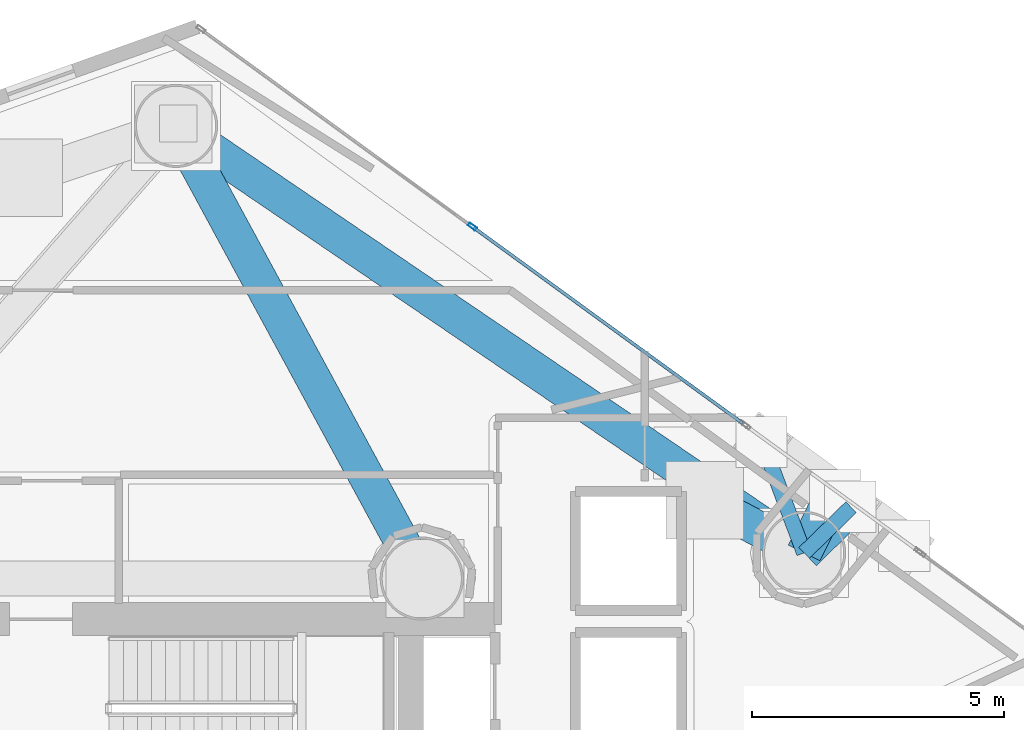
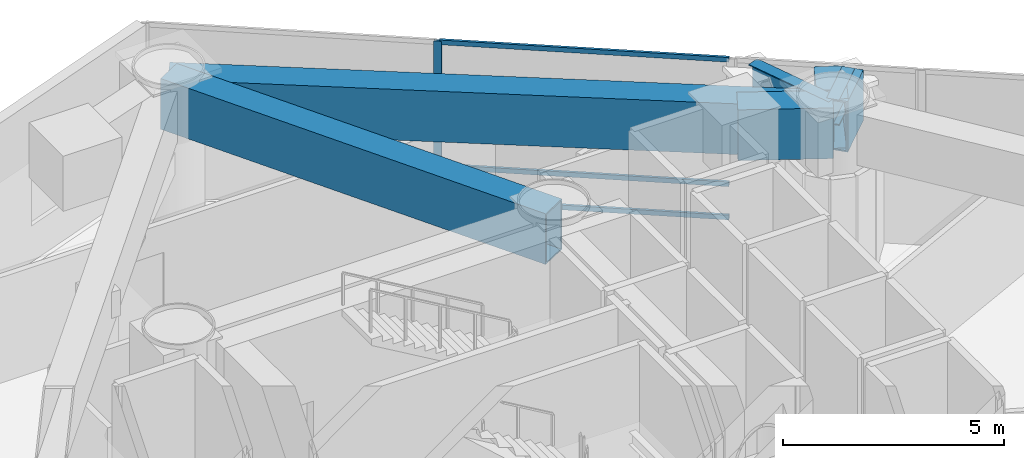
# One storey, part 10 of 22: 7 beams, 4 members, 1 element without a shape of its own.
"""IFC4 building model written with IfcOpenShell, lengths in metres."""

import ifcopenshell
import ifcopenshell.guid

model = None  # the IFC model being written
_history = None  # IfcOwnerHistory: only IFC2X3 demands one
_inside = {}  # id of a spatial element -> (the spatial element, [elements in it])
_under = {}  # id of a project, library or spatial element -> (it, [spatial elements below it])
_declared = {}  # id of a project -> (the project, [libraries it declares])
_typed = {}  # id of a type object -> (the type object, [elements of that type])
_made_of = {}  # id of a material, layer set ... -> (it, [elements and type objects made of it])


def new_model(schema):
    """Start an empty IFC model of exactly this schema.

    Asked for "IFC4X3", IfcOpenShell would pick the latest addendum, in which some entities
    have other attributes; the version numbers below select the first issue.
    IFC2X3 requires an IfcOwnerHistory on every rooted entity: one is made here for all.
    """
    global model, _history
    if schema == "IFC4X3":
        model = ifcopenshell.file(schema_version=(4, 3, 0, 0))
    else:
        model = ifcopenshell.file(schema=schema)
    _inside.clear()
    _under.clear()
    _declared.clear()
    _typed.clear()
    _made_of.clear()
    _history = None
    if model.schema == "IFC2X3":
        org = make("IfcOrganization", Name="unknown")
        user = make(
            "IfcPersonAndOrganization",
            ThePerson=make("IfcPerson", FamilyName="unknown"),
            TheOrganization=org,
        )
        app = make(
            "IfcApplication",
            ApplicationDeveloper=org,
            Version="unknown",
            ApplicationFullName="unknown",
            ApplicationIdentifier="unknown",
        )
        _history = make(
            "IfcOwnerHistory",
            OwningUser=user,
            OwningApplication=app,
            ChangeAction="ADDED",
            CreationDate=0,
        )
    return model


def make(cls, **values):
    """One entity of the class cls with the attributes given. An attribute that is None is left unset."""
    return model.create_entity(
        cls, **{name: value for name, value in values.items() if value is not None}
    )


def rooted(cls, **values):
    """An entity with a GlobalId (a new one), such as an element, a storey or a relation."""
    return make(cls, GlobalId=ifcopenshell.guid.new(), OwnerHistory=_history, **values)


def si_unit(unit_type, name, prefix=None):
    """IfcSIUnit, for example si_unit("LENGTHUNIT", "METRE", prefix="MILLI")."""
    return make("IfcSIUnit", UnitType=unit_type, Prefix=prefix, Name=name)


def assignment(units):
    """IfcUnitAssignment: the units of a project."""
    return None if units is None else make("IfcUnitAssignment", Units=units)


def point(xyz):
    """IfcCartesianPoint."""
    return None if xyz is None else make("IfcCartesianPoint", Coordinates=xyz)


def direction(xyz):
    """IfcDirection."""
    return None if xyz is None else make("IfcDirection", DirectionRatios=xyz)


def frame(location, z_axis=None, x_axis=None):
    """IfcAxis2Placement3D, a coordinate frame: its origin and axes. An axis left out is left unset."""
    return make(
        "IfcAxis2Placement3D",
        Location=point(location),
        Axis=direction(z_axis),
        RefDirection=direction(x_axis),
    )


def frame_2d(location, x_axis=None):
    """IfcAxis2Placement2D, a coordinate frame in the plane: its origin and x axis."""
    return make(
        "IfcAxis2Placement2D", Location=point(location), RefDirection=direction(x_axis)
    )


def origin():
    """The frame at (0, 0, 0) with its axes left unset."""
    return frame((0.0, 0.0, 0.0))


def origin_2d():
    """The frame at (0, 0) in the plane with its x axis left unset."""
    return frame_2d((0.0, 0.0))


def place(relative_to, where):
    """IfcLocalPlacement: puts the frame where relative to a parent placement (None: the world)."""
    return make(
        "IfcLocalPlacement", PlacementRelTo=relative_to, RelativePlacement=where
    )


def context(
    kind, dimensions, precision=None, world=None, true_north=None, identifier=None
):
    """IfcGeometricRepresentationContext, for example the 3D "Model" context."""
    return make(
        "IfcGeometricRepresentationContext",
        ContextIdentifier=identifier,
        ContextType=kind,
        CoordinateSpaceDimension=dimensions,
        Precision=precision,
        WorldCoordinateSystem=world,
        TrueNorth=true_north,
    )


def subcontext(parent, identifier, kind, view, scale=None):
    """IfcGeometricRepresentationSubContext, for example "Body" below "Model"."""
    return make(
        "IfcGeometricRepresentationSubContext",
        ContextIdentifier=identifier,
        ContextType=kind,
        ParentContext=parent,
        TargetScale=scale,
        TargetView=view,
    )


def project(units=None, contexts=None):
    """IfcProject with its units and contexts."""
    return rooted(
        "IfcProject",
        Name="project",
        RepresentationContexts=contexts,
        UnitsInContext=assignment(units),
    )


def spatial(cls, under=None, at=None, **own):
    """A site, building, storey or space (cls), placed at a placement, below another one or the project."""
    s = rooted(cls, ObjectPlacement=at, **own)
    if under is not None:
        _under.setdefault(under.id(), (under, []))[1].append(s)
    return s


def profile(cls, at=None, kind="AREA", **sizes):
    """A parametric profile (cls). Its sizes go by their IFC names, for example OverallWidth=200.0."""
    return make(cls, ProfileType=kind, Position=at, **sizes)


def hollow_rectangle(**sizes):
    """IfcRectangleHollowProfileDef."""
    return profile("IfcRectangleHollowProfileDef", **sizes)


def i_section(**sizes):
    """IfcIShapeProfileDef."""
    return profile("IfcIShapeProfileDef", **sizes)


def extrude(swept, where, along, depth):
    """IfcExtrudedAreaSolid: the profile swept, set in the frame where, extruded along a direction by depth."""
    return make(
        "IfcExtrudedAreaSolid",
        SweptArea=swept,
        Position=where,
        ExtrudedDirection=direction(along),
        Depth=depth,
    )


def shape(context_of_items, identifier, shape_type, items):
    """IfcShapeRepresentation: the items that make up one representation, for example the "Body"."""
    return make(
        "IfcShapeRepresentation",
        ContextOfItems=context_of_items,
        RepresentationIdentifier=identifier,
        RepresentationType=shape_type,
        Items=items,
    )


def material(Name=None, Category=None):
    """IfcMaterial."""
    return make("IfcMaterial", Name=Name, Category=Category)


def layer(
    of_material, thickness, ventilated=None, Name=None, Category=None, Priority=None
):
    """IfcMaterialLayer: one layer of a wall or slab, of a material (None: an air gap)."""
    return make(
        "IfcMaterialLayer",
        Material=of_material,
        LayerThickness=thickness,
        IsVentilated=ventilated,
        Name=Name,
        Category=Category,
        Priority=Priority,
    )


def layer_set(layers, Name=None):
    """IfcMaterialLayerSet."""
    return make("IfcMaterialLayerSet", MaterialLayers=layers, LayerSetName=Name)


def material_profile(
    of_material, cross_section, Name=None, Category=None, Priority=None
):
    """IfcMaterialProfile: a cross section and its material."""
    return make(
        "IfcMaterialProfile",
        Name=Name,
        Material=of_material,
        Profile=cross_section,
        Priority=Priority,
        Category=Category,
    )


def profile_set(profiles, Name=None, composite=None):
    """IfcMaterialProfileSet."""
    return make(
        "IfcMaterialProfileSet",
        Name=Name,
        MaterialProfiles=profiles,
        CompositeProfile=composite,
    )


def made_of(thing, what):
    """Note that an element or type object is made of a material, layer set ...; save() writes the relation."""
    if what is not None:
        _made_of.setdefault(what.id(), (what, []))[1].append(thing)
    return thing


def type_object(cls, material=None, **own):
    """A type object (cls), such as IfcWallType, which elements share."""
    return made_of(rooted(cls, **own), material)


def element(
    cls,
    number,
    at=None,
    inside=None,
    cuts=None,
    type_object=None,
    material=None,
    context=None,
    identifier="Body",
    shape_type=None,
    held_by="IfcProductDefinitionShape",
    body=None,
    shapes=None,
    **own,
):
    """One element of the class cls, such as IfcWall. Its Tag is "e" and its number.

    at: its placement. inside: the storey or other place that contains it. cuts: it is an
    opening in that element (IfcRelVoidsElement). A single representation is given by context,
    identifier, shape_type and body (its items); several are given by shapes. held_by: the class
    of the entity that holds the representations. save() writes the other relations.
    """
    e = rooted(cls, Tag="e%d" % number, ObjectPlacement=at, **own)
    if body is not None:
        shapes = [shape(context, identifier, shape_type, body)]
    if shapes is not None:
        e.Representation = make(held_by, Representations=shapes)
    if inside is not None:
        _inside.setdefault(inside.id(), (inside, []))[1].append(e)
    if cuts is not None:
        rooted(
            "IfcRelVoidsElement", RelatingBuildingElement=cuts, RelatedOpeningElement=e
        )
    if type_object is not None:
        _typed.setdefault(type_object.id(), (type_object, []))[1].append(e)
    return made_of(e, material)


def aggregate(whole, parts):
    """IfcRelAggregates: a whole, such as a stair, and the parts it consists of."""
    return rooted("IfcRelAggregates", RelatingObject=whole, RelatedObjects=parts)


def save(model, path):
    """Write the relations noted so far, then the file.

    IfcRelAggregates (storeys below a building ...), IfcRelContainedInSpatialStructure (elements
    in a storey), IfcRelDefinesByType, IfcRelAssociatesMaterial and IfcRelDeclares: one each for
    every whole, place, type object, material and project.
    """
    for whole, parts in _under.values():
        aggregate(whole, parts)
    for where, things in _inside.values():
        rooted(
            "IfcRelContainedInSpatialStructure",
            RelatedElements=things,
            RelatingStructure=where,
        )
    for kind, things in _typed.values():
        rooted("IfcRelDefinesByType", RelatedObjects=things, RelatingType=kind)
    for what, things in _made_of.values():
        rooted("IfcRelAssociatesMaterial", RelatedObjects=things, RelatingMaterial=what)
    for by, libraries in _declared.values():
        rooted("IfcRelDeclares", RelatingContext=by, RelatedDefinitions=libraries)
    model.write(path)


model = new_model("IFC4")

# Units and contexts
model_context = context("Model", 3, precision=1e-05, world=origin(), true_north=direction((0.0, 1.0)))
body_context = subcontext(model_context, "Body", "Model", "MODEL_VIEW")
ifc_project = project(units=[si_unit("LENGTHUNIT", "METRE"), si_unit("AREAUNIT", "SQUARE_METRE"), si_unit("VOLUMEUNIT", "CUBIC_METRE"), si_unit("PLANEANGLEUNIT", "RADIAN"), si_unit("MASSUNIT", "GRAM", prefix="KILO")], contexts=[model_context])

# Site, building, storey
site_placement = place(None, origin())
site = spatial("IfcSite", under=ifc_project, at=site_placement, CompositionType="ELEMENT")
building_placement = place(site_placement, origin())
building = spatial("IfcBuilding", under=site, at=building_placement, Name="Qianvela Tower", CompositionType="ELEMENT")
storey_placement = place(building_placement, frame((0.0, 0.0, 93.199951171875)))
storey = spatial("IfcBuildingStorey", under=building, at=storey_placement, Name="L23", CompositionType="ELEMENT", Elevation=93.199951171875)

# Beams
ifc_material_1 = material(Name="Steel Q355B", Category="steel")
ifc_material_profile_1 = material_profile(ifc_material_1, i_section(OverallWidth=0.300048828125, OverallDepth=0.699951171875, WebThickness=0.012939453125, FlangeThickness=0.02392578125, at=origin_2d()), Name="HN700x300x13x24")
ifc_profile_set_1 = profile_set([ifc_material_profile_1], Name="Steel Q355B")
beam_type_1 = type_object("IfcBeamType", Name="BM-HN700-SPAND", PredefinedType="SPANDREL", material=ifc_profile_set_1)
beam_1_placement = place(storey_placement, frame((45.98388671875, 34.056884765625, 4.068115234375), z_axis=(0.716419396646, 0.697669870432, 0.0), x_axis=(-0.697669870432, 0.716419396646, 0.0)))
element("IfcBeam", 1, at=beam_1_placement, inside=storey, type_object=beam_type_1, Name="L23 Mega-Brace Column Tie Bracket F1-1", PredefinedType="SPANDREL", context=body_context, shape_type="SweptSolid", body=[
    extrude(i_section(OverallWidth=0.300048828125, OverallDepth=0.699951171875, WebThickness=0.012939453125, FlangeThickness=0.02392578125, at=origin_2d()), origin(), (0.0, 0.0, 1.0), 1.302001953125),
])
beam_2_placement = place(storey_placement, frame((45.98388671875, 34.056884765625, 4.068115234375), z_axis=(-0.353250342309, 0.935528832083, 0.0), x_axis=(-0.935528832083, -0.353250342309, 0.0)))
element("IfcBeam", 2, at=beam_2_placement, inside=storey, type_object=beam_type_1, Name="L23 Mega-Brace Column Tie Bracket F1-2", PredefinedType="SPANDREL", context=body_context, shape_type="SweptSolid", body=[
    extrude(i_section(OverallWidth=0.300048828125, OverallDepth=0.699951171875, WebThickness=0.012939453125, FlangeThickness=0.02392578125, at=origin_2d()), origin(), (0.0, 0.0, 1.0), 2.3388671875),
])
ifc_material_2 = material(Name="Steel Q420GJC", Category="steel")
ifc_material_profile_2 = material_profile(ifc_material_2, hollow_rectangle(XDim=0.699951171875, YDim=1.39990234375, WallThickness=0.0400390625, at=origin_2d()), Name="TG-BOX-1400x700x40")
ifc_profile_set_2 = profile_set([ifc_material_profile_2], Name="Steel Q420GJC")
beam_type_2 = type_object("IfcBeamType", Name="BM-TG-RAD-1400", PredefinedType="BEAM", material=ifc_profile_set_2)
beam_3_placement = place(storey_placement, frame((45.98388671875, 34.056884765625, 3.718017578125), z_axis=(-0.826904197504, 0.562342820839, 0.0), x_axis=(-0.562342820839, -0.826904197504, 0.0)))
element("IfcBeam", 3, at=beam_3_placement, inside=storey, type_object=beam_type_2, Name="L23 Perimeter Belt-Truss Top Ring Girder 2", PredefinedType="BEAM", context=body_context, shape_type="SweptSolid", body=[
    extrude(hollow_rectangle(XDim=0.699951171875, YDim=1.39990234375, WallThickness=0.0400390625, at=origin_2d()), origin(), (0.0, 0.0, 1.0), 15.06591796875),
])
beam_4_placement = place(storey_placement, frame((38.39990234375, 33.550048828125, 3.718017578125), z_axis=(-0.477069714043, 0.878865454972, 0.0), x_axis=(-0.878865454972, -0.477069714043, 0.0)))
element("IfcBeam", 4, at=beam_4_placement, inside=storey, type_object=beam_type_2, Name="L23 Radial Outrigger Top Transfer Girder 3", PredefinedType="BEAM", context=body_context, shape_type="SweptSolid", body=[
    extrude(hollow_rectangle(XDim=0.699951171875, YDim=1.39990234375, WallThickness=0.0400390625, at=origin_2d()), origin(), (0.0, 0.0, 1.0), 10.216552734375),
])
ifc_material_3 = material(Name="Steel Q420GJC", Category="steel")
ifc_material_profile_3 = material_profile(ifc_material_3, hollow_rectangle(XDim=0.699951171875, YDim=1.39990234375, WallThickness=0.0400390625, at=origin_2d()), Name="TG-BOX-1400x700x40")
ifc_profile_set_3 = profile_set([ifc_material_profile_3], Name="Steel Q420GJC")
beam_type_3 = type_object("IfcBeamType", Name="BM-TG-STEP-1400", PredefinedType="BEAM", material=ifc_profile_set_3)
for number, where, z_axis, x_axis, name in (
    (5, (45.98388671875, 34.056884765625, 3.715087890625), (0.716419396646, 0.697669870432, 0.0), (-0.697669870432, 0.716419396646, 0.0), "L23 Mega-Brace Zone Base Bracket F1-1"),
    (6, (45.98388671875, 34.056884765625, 3.715087890625), (0.443083642171, 0.896480276437, 0.0), (-0.896480276437, 0.443083642171, 0.0), "L23 Mega-Brace Zone Base Bracket F1-2"),
):
    element("IfcBeam", number, at=place(storey_placement, frame(where, z_axis=z_axis, x_axis=x_axis)), inside=storey, type_object=beam_type_3, Name=name, PredefinedType="BEAM", context=body_context, shape_type="SweptSolid", body=[
        extrude(hollow_rectangle(XDim=0.699951171875, YDim=1.39990234375, WallThickness=0.0400390625, at=origin_2d()), origin(), (0.0, 0.0, 1.0), 1.302001953125),
    ])
beam_5_placement = place(storey_placement, frame((45.98388671875, 34.056884765625, 3.718017578125), z_axis=(-0.883691875748, 0.468069085431, 0.0), x_axis=(-0.468069085431, -0.883691875748, 0.0)))
element("IfcBeam", 7, at=beam_5_placement, inside=storey, type_object=beam_type_3, Name="L23 Zone-Step Transfer Girder 2", PredefinedType="BEAM", context=body_context, shape_type="SweptSolid", body=[
    extrude(hollow_rectangle(XDim=0.699951171875, YDim=1.39990234375, WallThickness=0.0400390625, at=origin_2d()), origin(), (0.0, 0.0, 1.0), 2.16455078125),
])

# Curtain wall, members
ifc_material_4 = material(Name="Anodised Architectural Aluminium and Low-E Glass", Category="aluminium")
ifc_layer = layer(ifc_material_4, 0.179931640625)
ifc_layer_set = layer_set([ifc_layer], Name="Anodised Architectural Aluminium and Low-E Glass")
curtain_wall_type = type_object("IfcCurtainWallType", Name="CW-COLIV-Z12", PredefinedType="USERDEFINED", material=ifc_layer_set)
curtain_wall_placement = place(storey_placement, origin())
curtain_wall = element("IfcCurtainWall", 8, at=curtain_wall_placement, inside=storey, type_object=curtain_wall_type, Name="L23 CW-COLIV-Z12 Curtain Wall 02C", ObjectType="CURTAIN_WALL_SYSTEM", PredefinedType="USERDEFINED")
ifc_material_5 = material(Name="Anodised Architectural Aluminium 6063-T6", Category="aluminium")
ifc_material_profile_4 = material_profile(ifc_material_5, hollow_rectangle(XDim=0.070068359375, YDim=0.179931640625, WallThickness=0.0048828125, at=origin_2d()), Name="ALU-MULL-70x180")
ifc_profile_set_4 = profile_set([ifc_material_profile_4], Name="Anodised Architectural Aluminium 6063-T6")
member_type_1 = type_object("IfcMemberType", Name="CW-COLIV-Z12-MULL", PredefinedType="MULLION", material=ifc_profile_set_4)
member_1_placement = place(storey_placement, frame((39.403076171875, 40.52978515625, 0.0), z_axis=(0.0, 0.0, 1.0), x_axis=(-0.588249855866, -0.808679236208, 0.0)))
member_1 = element("IfcMember", 9, at=member_1_placement, type_object=member_type_1, Name="CW-3 mullion 2", PredefinedType="MULLION", context=body_context, shape_type="SweptSolid", body=[
    extrude(hollow_rectangle(XDim=0.070068359375, YDim=0.179931640625, WallThickness=0.0048828125, at=origin_2d()), origin(), (0.0, 0.0, 1.0), 4.420166015625),
])
ifc_material_6 = material(Name="Anodised Architectural Aluminium 6063-T6", Category="aluminium")
ifc_material_profile_5 = material_profile(ifc_material_6, hollow_rectangle(XDim=0.06494140625, YDim=0.1298828125, WallThickness=0.00439453125, at=origin_2d()), Name="ALU-TRAN-65x130")
ifc_profile_set_5 = profile_set([ifc_material_profile_5], Name="Anodised Architectural Aluminium 6063-T6")
member_type_2 = type_object("IfcMemberType", Name="CW-COLIV-Z12-TRAN", PredefinedType="USERDEFINED", material=ifc_profile_set_5)
member_2_placement = place(storey_placement, frame((44.760009765625, 36.633056640625, 0.032470703125), z_axis=(-0.808673593847, 0.588257612458, 0.0), x_axis=(-0.588257612458, -0.808673593847, 0.0)))
member_2 = element("IfcMember", 10, at=member_2_placement, type_object=member_type_2, Name="CW-3 transom 1.1", ObjectType="TRANSOM", PredefinedType="USERDEFINED", context=body_context, shape_type="SweptSolid", body=[
    extrude(hollow_rectangle(XDim=0.06494140625, YDim=0.1298828125, WallThickness=0.00439453125, at=origin_2d()), origin(), (0.0, 0.0, 1.0), 6.58935546875),
])
member_3_placement = place(storey_placement, frame((44.760009765625, 36.633056640625, 0.949951171875), z_axis=(-0.808673593847, 0.588257612458, 0.0), x_axis=(-0.588257612458, -0.808673593847, 0.0)))
member_3 = element("IfcMember", 11, at=member_3_placement, type_object=member_type_2, Name="CW-3 transom 1.2", ObjectType="TRANSOM", PredefinedType="USERDEFINED", context=body_context, shape_type="SweptSolid", body=[
    extrude(hollow_rectangle(XDim=0.06494140625, YDim=0.1298828125, WallThickness=0.00439453125, at=origin_2d()), origin(), (0.0, 0.0, 1.0), 6.58935546875),
])
member_4_placement = place(storey_placement, frame((44.760009765625, 36.633056640625, 4.387451171875), z_axis=(-0.808673593847, 0.588257612458, 0.0), x_axis=(-0.588257612458, -0.808673593847, 0.0)))
member_4 = element("IfcMember", 12, at=member_4_placement, type_object=member_type_2, Name="CW-3 transom 1.3", ObjectType="TRANSOM", PredefinedType="USERDEFINED", context=body_context, shape_type="SweptSolid", body=[
    extrude(hollow_rectangle(XDim=0.06494140625, YDim=0.1298828125, WallThickness=0.00439453125, at=origin_2d()), origin(), (0.0, 0.0, 1.0), 6.58935546875),
])
aggregate(curtain_wall, [member_1, member_2, member_3, member_4])

save(model, "model.ifc")
